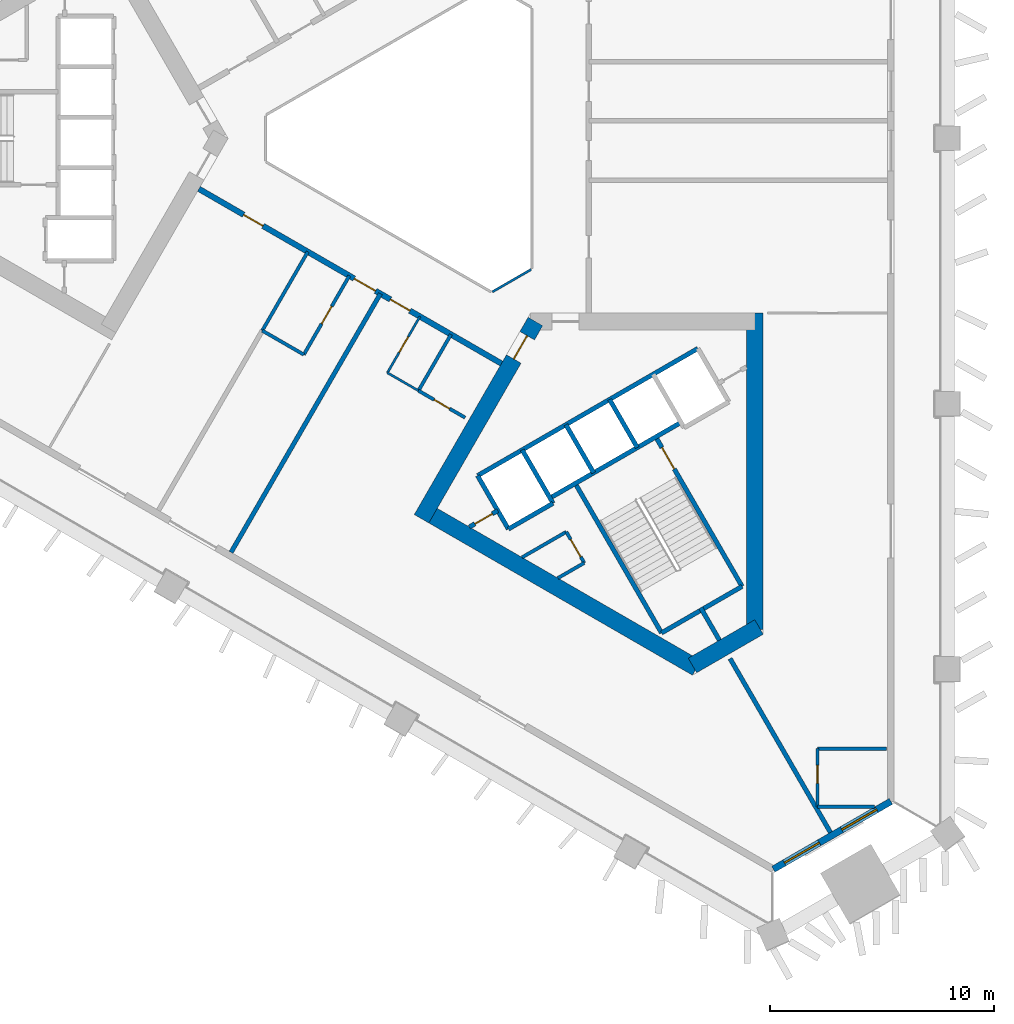
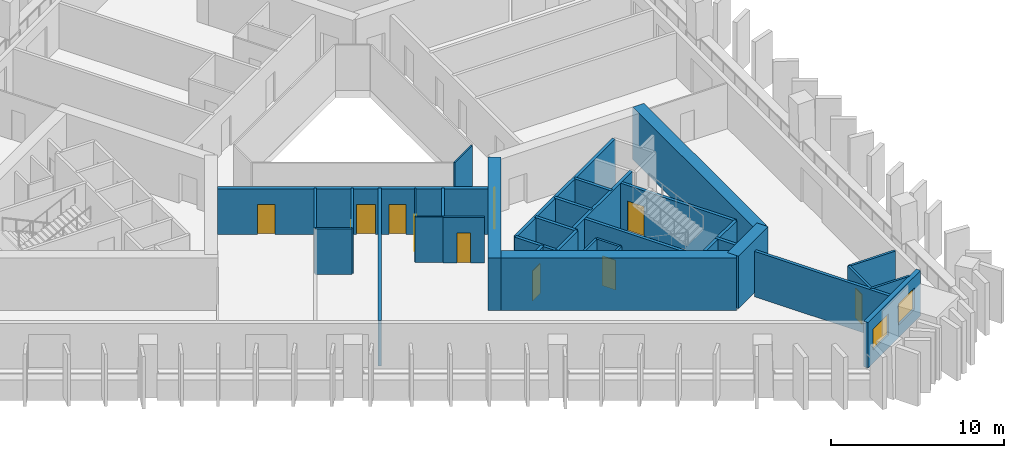
# One storey, part 3 of 11: 34 walls, 11 doors, 2 windows, 13 openings.
"""IFC4 building model written with IfcOpenShell, lengths in metres."""

from ifc_helpers import new_model, si_unit, direction, frame, frame_2d, origin, place, context, subcontext, project, spatial, rectangle, extrude, material, layer, layer_set, type_object, element, fill, save


model = new_model("IFC4")

# Units and contexts
model_context = context("Model", 3, precision=1e-05, world=origin(), true_north=direction((0.0, 1.0)))
body_context = subcontext(model_context, "Body", "Model", "MODEL_VIEW")
ifc_project = project(units=[si_unit("LENGTHUNIT", "METRE"), si_unit("AREAUNIT", "SQUARE_METRE"), si_unit("VOLUMEUNIT", "CUBIC_METRE"), si_unit("PLANEANGLEUNIT", "RADIAN"), si_unit("MASSUNIT", "GRAM", prefix="KILO")], contexts=[model_context])

# Site, building, storey
site_placement = place(None, origin())
site = spatial("IfcSite", under=ifc_project, at=site_placement, CompositionType="ELEMENT")
building_placement = place(site_placement, origin())
building = spatial("IfcBuilding", under=site, at=building_placement, Name="Jabali Bay Hotel Tower and Convention Centre", CompositionType="ELEMENT")
storey_placement = place(building_placement, frame((0.0, 0.0, 75.800048828125)))
storey = spatial("IfcBuildingStorey", under=building, at=storey_placement, Name="L17", CompositionType="ELEMENT", Elevation=75.800048828125)

# Walls
ifc_material_1 = material(Name="Fire-resistant glazing", Category="glass")
ifc_layer_1 = layer(ifc_material_1, 0.10009765625)
ifc_layer_set_1 = layer_set([ifc_layer_1], Name="Fire-resistant glazing")
wall_type_1 = type_object("IfcWallType", Name="Atrium glazed screen 100", PredefinedType="PARTITIONING", material=ifc_layer_set_1)
wall_1_placement = place(storey_placement, frame((77.7978515625, 73.15380859375, 0.0), z_axis=(0.0, 0.0, 1.0), x_axis=(0.866041268327, 0.499972520799, 0.0)))
element("IfcWall", 1, at=wall_1_placement, inside=storey, type_object=wall_type_1, Name="Atrium screen 6 L17", PredefinedType="PARTITIONING", context=body_context, shape_type="SweptSolid", body=[
    extrude(rectangle(XDim=2.0, YDim=0.10009765625, at=frame_2d((1.0, 0.0))), origin(), (0.0, 0.0, 1.0), 3.199951171875),
])
ifc_material_2 = material(Name="Concrete C40", Category="concrete")
ifc_layer_2 = layer(ifc_material_2, 0.199951171875)
ifc_layer_set_2 = layer_set([ifc_layer_2], Name="Concrete C40")
wall_type_2 = type_object("IfcWallType", Name="Core partition wall 200", PredefinedType="PARTITIONING", material=ifc_layer_set_2)
wall_2_placement = place(storey_placement, frame((87.090087890625, 59.0595703125, 0.0), z_axis=(0.0, 0.0, 1.0), x_axis=(0.499937194881, -0.866061661301, 0.0)))
element("IfcWall", 2, at=wall_2_placement, inside=storey, type_object=wall_type_2, Name="Core wall 2.5 L17", PredefinedType="PARTITIONING", context=body_context, shape_type="SweptSolid", body=[
    extrude(rectangle(XDim=1.673095703125, YDim=0.199951171875, at=frame_2d((0.83642578125, 0.0))), origin(), (0.0, 0.0, 1.0), 3.199951171875),
])

# Wall, opening, door
wall_3_placement = place(storey_placement, frame((76.77001953125, 62.662109375, 0.0), z_axis=(0.0, 0.0, 1.0), x_axis=(0.866054810376, 0.49994906283, 0.0)))
wall_3 = element("IfcWall", 3, at=wall_3_placement, inside=storey, type_object=wall_type_2, Name="Core wall 2.11 L17", PredefinedType="PARTITIONING", context=body_context, shape_type="SweptSolid", body=[
    extrude(rectangle(XDim=1.461181640625, YDim=0.199951171875, at=frame_2d((0.73046875, 0.0))), origin(), (0.0, 0.0, 1.0), 3.199951171875),
])
opening_1_placement = place(wall_3_placement, frame((0.280517578125, 0.0, 0.0)))
opening_1 = element("IfcOpeningElement", 4, at=opening_1_placement, cuts=wall_3, Name="Opening D435", PredefinedType="OPENING", context=body_context, shape_type="SweptSolid", body=[
    extrude(rectangle(XDim=0.89990234375, YDim=2.10009765625, at=frame_2d((0.449951171875, 1.050048828125))), frame((0.0, 0.1103515625, 0.0), z_axis=(0.0, -1.0, 0.0), x_axis=(1.0, 0.0, 0.0)), (0.0, 0.0, 1.0), 0.220947265625),
])
ifc_material_3 = material(Name="Fire-rated steel door", Category="steel")
door_type_1 = type_object("IfcDoorType", Name="Vestibule fire door 900 x 2100", OperationType="NOTDEFINED", PredefinedType="NOTDEFINED", material=ifc_material_3)
door_1_placement = place(opening_1_placement, origin())
door_1 = element("IfcDoor", 5, at=door_1_placement, inside=storey, type_object=door_type_1, Name="Vestibule fire door D435", OperationType="SINGLE_SWING_LEFT", OverallHeight=2.10009765625, OverallWidth=0.89990234375, PredefinedType="NOTDEFINED", context=body_context, shape_type="SweptSolid", body=[
    extrude(rectangle(XDim=0.89990234375, YDim=2.10009765625, at=frame_2d((0.449951171875, 1.050048828125))), frame((0.0, 0.02490234375, 0.0), z_axis=(0.0, -1.0, 0.0), x_axis=(1.0, 0.0, 0.0)), (0.0, 0.0, 1.0), 0.050048828125),
])
fill(opening_1, door_1)

ifc_material_4 = material(Name="Fire-rated board partition")
ifc_layer_3 = layer(ifc_material_4, 0.14990234375)
ifc_layer_set_3 = layer_set([ifc_layer_3], Name="Fire-rated board partition")
wall_type_3 = type_object("IfcWallType", Name="Core room partition 150", PredefinedType="PARTITIONING", material=ifc_layer_set_3)
wall_4_placement = place(storey_placement, frame((81.093994140625, 62.445068359375, 0.0), z_axis=(0.0, 0.0, 1.0), x_axis=(0.499880961361, -0.866094119867, 0.0)))
wall_4 = element("IfcWall", 6, at=wall_4_placement, inside=storey, type_object=wall_type_3, Name="Core wall 2.1 L17", PredefinedType="PARTITIONING", context=body_context, shape_type="SweptSolid", body=[
    extrude(rectangle(XDim=1.60009765625, YDim=0.14990234375, at=frame_2d((0.800048828125, 0.0))), origin(), (0.0, 0.0, 1.0), 3.199951171875),
])
opening_2_placement = place(wall_4_placement, frame((0.387451171875, 0.0, 0.0)))
opening_2 = element("IfcOpeningElement", 7, at=opening_2_placement, cuts=wall_4, Name="Opening D437", PredefinedType="OPENING", context=body_context, shape_type="SweptSolid", body=[
    extrude(rectangle(XDim=0.89990234375, YDim=2.10009765625, at=frame_2d((0.449951171875, 1.050048828125))), frame((0.0, 0.08544921875, 0.0), z_axis=(0.0, -1.0, 0.0), x_axis=(1.0, 0.0, 0.0)), (0.0, 0.0, 1.0), 0.1708984375),
])
door_type_2 = type_object("IfcDoorType", Name="Core room door 900 x 2100", OperationType="NOTDEFINED", PredefinedType="NOTDEFINED", material=ifc_material_3)
door_2_placement = place(opening_2_placement, origin())
door_2 = element("IfcDoor", 8, at=door_2_placement, inside=storey, type_object=door_type_2, Name="Core room door D437", OperationType="SINGLE_SWING_LEFT", OverallHeight=2.10009765625, OverallWidth=0.89990234375, PredefinedType="NOTDEFINED", context=body_context, shape_type="SweptSolid", body=[
    extrude(rectangle(XDim=0.89990234375, YDim=2.10009765625, at=frame_2d((0.449951171875, 1.050048828125))), frame((0.0, 0.02490234375, 0.0), z_axis=(0.0, -1.0, 0.0), x_axis=(1.0, 0.0, 0.0)), (0.0, 0.0, 1.0), 0.050048828125),
])
fill(opening_2, door_2)

# Walls
wall_5_placement = place(storey_placement, frame((79.119873046875, 61.305419921875, 0.0), z_axis=(0.0, 0.0, 1.0), x_axis=(0.866046471269, 0.499963508271, 0.0)))
element("IfcWall", 9, at=wall_5_placement, inside=storey, type_object=wall_type_3, Name="Core wall 2.16 L17", PredefinedType="PARTITIONING", context=body_context, shape_type="SweptSolid", body=[
    extrude(rectangle(XDim=2.279541015625, YDim=0.14990234375, at=frame_2d((1.1396484375, 0.0))), origin(), (0.0, 0.0, 1.0), 3.199951171875),
])
wall_6_placement = place(storey_placement, frame((80.719970703125, 60.381591796875, 0.0), z_axis=(0.0, 0.0, 1.0), x_axis=(0.866017611601, 0.500013496215, 0.0)))
element("IfcWall", 10, at=wall_6_placement, inside=storey, type_object=wall_type_3, Name="Core wall 2.17 L17", PredefinedType="PARTITIONING", context=body_context, shape_type="SweptSolid", body=[
    extrude(rectangle(XDim=1.35546875, YDim=0.14990234375, at=frame_2d((0.677734375, 0.0))), origin(), (0.0, 0.0, 1.0), 3.199951171875),
])
ifc_layer_4 = layer(ifc_material_2, 0.199951171875)
ifc_layer_set_4 = layer_set([ifc_layer_4], Name="Concrete C40")
wall_type_4 = type_object("IfcWallType", Name="Core stair wall 200", PredefinedType="SOLIDWALL", material=ifc_layer_set_4)
for number, where, z_axis, x_axis, name in (
    (11, (77.13525390625, 64.95166015625, 0.0), (0.0, 0.0, 1.0), (0.499996545922, -0.866027397988, 0.0), "Core wall 2.0 L17"),
    (12, (79.127197265625, 66.1015625, 0.0), (0.0, 0.0, 1.0), (0.499996545922, -0.866027397988, 0.0), "Core wall 2.2 L17"),
):
    element("IfcWall", number, at=place(storey_placement, frame(where, z_axis=z_axis, x_axis=x_axis)), inside=storey, type_object=wall_type_4, Name=name, PredefinedType="SOLIDWALL", context=body_context, shape_type="SweptSolid", body=[
        extrude(rectangle(XDim=2.75, YDim=0.199951171875, at=frame_2d((1.375, 0.0))), origin(), (0.0, 0.0, 1.0), 3.199951171875),
    ])
wall_7_placement = place(storey_placement, frame((81.492919921875, 64.603759765625, 0.0), z_axis=(0.0, 0.0, 1.0), x_axis=(0.500006057782, -0.866021906294, 0.0)))
element("IfcWall", 13, at=wall_7_placement, inside=storey, type_object=wall_type_4, Name="Core wall 2.3 L17", PredefinedType="SOLIDWALL", context=body_context, shape_type="SweptSolid", body=[
    extrude(rectangle(XDim=7.7001953125, YDim=0.199951171875, at=frame_2d((3.85009765625, 0.0))), origin(), (0.0, 0.0, 1.0), 3.199951171875),
])
for number, where, z_axis, x_axis, name in (
    (14, (81.07568359375, 67.2265625, 0.0), (0.0, 0.0, 1.0), (0.50000366821, -0.866023285932, 0.0), "Core wall 2.4 L17"),
    (15, (83.024169921875, 68.3515625, 0.0), (0.0, 0.0, 1.0), (0.50000366821, -0.866023285932, 0.0), "Core wall 2.6 L17"),
):
    element("IfcWall", number, at=place(storey_placement, frame(where, z_axis=z_axis, x_axis=x_axis)), inside=storey, type_object=wall_type_4, Name=name, PredefinedType="SOLIDWALL", context=body_context, shape_type="SweptSolid", body=[
        extrude(rectangle(XDim=2.47998046875, YDim=0.199951171875, at=frame_2d((1.239990234375, 0.0))), origin(), (0.0, 0.0, 1.0), 3.199951171875),
    ])

# Wall, opening, door
wall_8_placement = place(storey_placement, frame((85.0869140625, 66.6787109375, 0.0), z_axis=(0.0, 0.0, 1.0), x_axis=(0.500019787375, -0.866013979237, 0.0)))
wall_8 = element("IfcWall", 16, at=wall_8_placement, inside=storey, type_object=wall_type_4, Name="Core wall 2.7 L17", PredefinedType="SOLIDWALL", context=body_context, shape_type="SweptSolid", body=[
    extrude(rectangle(XDim=7.699951171875, YDim=0.199951171875, at=frame_2d((3.85009765625, 0.0))), origin(), (0.0, 0.0, 1.0), 3.199951171875),
])
opening_3_placement = place(wall_8_placement, frame((0.550048828125, 0.0, 0.0)))
opening_3 = element("IfcOpeningElement", 17, at=opening_3_placement, cuts=wall_8, Name="Opening D436", PredefinedType="OPENING", context=body_context, shape_type="SweptSolid", body=[
    extrude(rectangle(XDim=1.10009765625, YDim=2.10009765625, at=frame_2d((0.550048828125, 1.050048828125))), frame((0.0, 0.1103515625, 0.0), z_axis=(0.0, -1.0, 0.0), x_axis=(1.0, 0.0, 0.0)), (0.0, 0.0, 1.0), 0.220947265625),
])
door_type_3 = type_object("IfcDoorType", Name="Stair fire door 1100 x 2100", OperationType="NOTDEFINED", PredefinedType="NOTDEFINED", material=ifc_material_3)
door_3_placement = place(opening_3_placement, origin())
door_3 = element("IfcDoor", 18, at=door_3_placement, inside=storey, type_object=door_type_3, Name="Stair fire door D436", OperationType="SINGLE_SWING_RIGHT", OverallHeight=2.10009765625, OverallWidth=1.10009765625, PredefinedType="NOTDEFINED", context=body_context, shape_type="SweptSolid", body=[
    extrude(rectangle(XDim=1.10009765625, YDim=2.10009765625, at=frame_2d((0.550048828125, 1.050048828125))), frame((0.0, 0.02490234375, 0.0), z_axis=(0.0, -1.0, 0.0), x_axis=(1.0, 0.0, 0.0)), (0.0, 0.0, 1.0), 0.050048828125),
])
fill(opening_3, door_3)

# Walls
wall_9_placement = place(storey_placement, frame((77.13525390625, 64.95166015625, 0.0), z_axis=(0.0, 0.0, 1.0), x_axis=(0.866031916153, 0.499988720078, 0.0)))
element("IfcWall", 19, at=wall_9_placement, inside=storey, type_object=wall_type_4, Name="Core wall 2.10 L17", PredefinedType="SOLIDWALL", context=body_context, shape_type="SweptSolid", body=[
    extrude(rectangle(XDim=11.349853515625, YDim=0.199951171875, at=frame_2d((5.6748046875, 0.0))), origin(), (0.0, 0.0, 1.0), 3.199951171875),
])
wall_10_placement = place(storey_placement, frame((80.3671875, 63.953857421875, 0.0), z_axis=(0.0, 0.0, 1.0), x_axis=(0.866026575979, 0.499997969693, 0.0)))
element("IfcWall", 20, at=wall_10_placement, inside=storey, type_object=wall_type_4, Name="Core wall 2.13 L17", PredefinedType="SOLIDWALL", context=body_context, shape_type="SweptSolid", body=[
    extrude(rectangle(XDim=6.75, YDim=0.199951171875, at=frame_2d((3.375, 0.0))), origin(), (0.0, 0.0, 1.0), 3.199951171875),
])
wall_11_placement = place(storey_placement, frame((78.51025390625, 62.570068359375, 0.0), z_axis=(0.0, 0.0, 1.0), x_axis=(0.866053019151, 0.499952165731, 0.0)))
element("IfcWall", 21, at=wall_11_placement, inside=storey, type_object=wall_type_4, Name="Core wall 2.14 L17", PredefinedType="SOLIDWALL", context=body_context, shape_type="SweptSolid", body=[
    extrude(rectangle(XDim=2.300048828125, YDim=0.199951171875, at=frame_2d((1.14990234375, 0.0))), origin(), (0.0, 0.0, 1.0), 3.199951171875),
])
wall_12_placement = place(storey_placement, frame((85.343017578125, 57.935302734375, 0.0), z_axis=(0.0, 0.0, 1.0), x_axis=(0.866004344652, 0.500036473714, 0.0)))
element("IfcWall", 22, at=wall_12_placement, inside=storey, type_object=wall_type_4, Name="Core wall 2.18 L17", PredefinedType="SOLIDWALL", context=body_context, shape_type="SweptSolid", body=[
    extrude(rectangle(XDim=4.150146484375, YDim=0.199951171875, at=frame_2d((2.0751953125, 0.0))), origin(), (0.0, 0.0, 1.0), 3.199951171875),
])

# Wall, opening, door
ifc_material_5 = material(Name="Concrete C60", Category="concrete")
ifc_layer_5 = layer(ifc_material_5, 0.75)
ifc_layer_set_5 = layer_set([ifc_layer_5], Name="Concrete C60")
wall_type_5 = type_object("IfcWallType", Name="Core wall 750", PredefinedType="SHEAR", material=ifc_layer_set_5)
wall_13_placement = place(storey_placement, frame((79.716552734375, 71.830810546875, 0.0), z_axis=(0.0, 0.0, 1.0), x_axis=(-0.499996230114, -0.866027580318, 0.0)))
wall_13 = element("IfcWall", 23, at=wall_13_placement, inside=storey, type_object=wall_type_5, Name="Core wall 3.1 L17", PredefinedType="SHEAR", context=body_context, shape_type="SweptSolid", body=[
    extrude(rectangle(XDim=10.16357421875, YDim=0.75, at=frame_2d((5.081787109375, 0.0))), origin(), (0.0, 0.0, 1.0), 3.699951171875),
])
opening_4_placement = place(wall_13_placement, frame((0.7333984375, 0.0, 0.0)))
opening_4 = element("IfcOpeningElement", 24, at=opening_4_placement, cuts=wall_13, Name="Opening D432", PredefinedType="OPENING", context=body_context, shape_type="SweptSolid", body=[
    extrude(rectangle(XDim=1.199951171875, YDim=2.10009765625, at=frame_2d((0.60009765625, 1.050048828125))), frame((0.0, 0.385498046875, 0.0), z_axis=(0.0, -1.0, 0.0), x_axis=(1.0, 0.0, 0.0)), (0.0, 0.0, 1.0), 0.77099609375),
])
door_type_4 = type_object("IfcDoorType", Name="Corridor end fire door 1200 x 2100", OperationType="NOTDEFINED", PredefinedType="NOTDEFINED", material=ifc_material_3)
door_4_placement = place(opening_4_placement, origin())
door_4 = element("IfcDoor", 25, at=door_4_placement, inside=storey, type_object=door_type_4, Name="Corridor end fire door D432", OperationType="SINGLE_SWING_RIGHT", OverallHeight=2.10009765625, OverallWidth=1.199951171875, PredefinedType="NOTDEFINED", context=body_context, shape_type="SweptSolid", body=[
    extrude(rectangle(XDim=1.199951171875, YDim=2.10009765625, at=frame_2d((0.60009765625, 1.050048828125))), frame((0.0, 0.02490234375, 0.0), z_axis=(0.0, -1.0, 0.0), x_axis=(1.0, 0.0, 0.0)), (0.0, 0.0, 1.0), 0.050048828125),
])
fill(opening_4, door_4)

# Walls
wall_14_placement = place(storey_placement, frame((74.822265625, 63.353759765625, 0.0), z_axis=(0.0, 0.0, 1.0), x_axis=(0.8660248072, -0.500001033313, 0.0)))
element("IfcWall", 26, at=wall_14_placement, inside=storey, type_object=wall_type_5, Name="Core wall 3.2 L17", PredefinedType="SHEAR", context=body_context, shape_type="SweptSolid", body=[
    extrude(rectangle(XDim=13.95849609375, YDim=0.75, at=frame_2d((6.979248046875, 0.0))), origin(), (0.0, 0.0, 1.0), 3.699951171875),
])
wall_15_placement = place(storey_placement, frame((86.72314453125, 56.482666015625, 0.0), z_axis=(0.0, 0.0, 1.0), x_axis=(0.866017201164, 0.500014207086, 0.0)))
element("IfcWall", 27, at=wall_15_placement, inside=storey, type_object=wall_type_5, Name="Core wall 3.3 L17", PredefinedType="SHEAR", context=body_context, shape_type="SweptSolid", body=[
    extrude(rectangle(XDim=3.4287109375, YDim=0.75, at=frame_2d((1.71435546875, 0.0))), origin(), (0.0, 0.0, 1.0), 3.699951171875),
])
wall_16_placement = place(storey_placement, frame((89.5048828125, 58.0888671875, 0.0), z_axis=(0.0, 0.0, 1.0), x_axis=(0.0, 1.0, 0.0)))
element("IfcWall", 28, at=wall_16_placement, inside=storey, type_object=wall_type_5, Name="Core wall 3.4 L17", PredefinedType="SHEAR", context=body_context, shape_type="SweptSolid", body=[
    extrude(rectangle(XDim=14.116943359375, YDim=0.75, at=frame_2d((7.05859375, 0.0))), origin(), (0.0, 0.0, 1.0), 3.699951171875),
])

# Wall, openings, doors
ifc_layer_6 = layer(ifc_material_5, 0.25)
ifc_layer_set_6 = layer_set([ifc_layer_6], Name="Concrete C60")
wall_type_6 = type_object("IfcWallType", Name="Corridor wall 250", PredefinedType="SHEAR", material=ifc_layer_set_6)
wall_17_placement = place(storey_placement, frame((64.699951171875, 77.748291015625, 0.0), z_axis=(0.0, 0.0, 1.0), x_axis=(0.866026492143, -0.499998114903, 0.0)))
wall_17 = element("IfcWall", 29, at=wall_17_placement, inside=storey, type_object=wall_type_6, Name="Corridor wall 3 L17", PredefinedType="SHEAR", context=body_context, shape_type="SweptSolid", body=[
    extrude(rectangle(XDim=15.58837890625, YDim=0.25, at=frame_2d((7.794189453125, 0.0))), origin(), (0.0, 0.0, 1.0), 3.199951171875),
])
opening_5_placement = place(wall_17_placement, frame((2.305908203125, 0.0, 0.0)))
opening_5 = element("IfcOpeningElement", 30, at=opening_5_placement, cuts=wall_17, Name="Opening 1717", PredefinedType="OPENING", context=body_context, shape_type="SweptSolid", body=[
    extrude(rectangle(XDim=1.0, YDim=2.10009765625, at=frame_2d((0.5, 1.050048828125))), frame((0.0, 0.135498046875, 0.0), z_axis=(0.0, -1.0, 0.0), x_axis=(1.0, 0.0, 0.0)), (0.0, 0.0, 1.0), 0.27099609375),
])
opening_6_placement = place(wall_17_placement, frame((8.003173828125, 0.0, 0.0)))
opening_6 = element("IfcOpeningElement", 31, at=opening_6_placement, cuts=wall_17, Name="Opening 1721", PredefinedType="OPENING", context=body_context, shape_type="SweptSolid", body=[
    extrude(rectangle(XDim=1.10009765625, YDim=2.10009765625, at=frame_2d((0.550048828125, 1.050048828125))), frame((0.0, 0.135498046875, 0.0), z_axis=(0.0, -1.0, 0.0), x_axis=(1.0, 0.0, 0.0)), (0.0, 0.0, 1.0), 0.27099609375),
])
opening_7_placement = place(wall_17_placement, frame((9.870849609375, 0.0, 0.0)))
opening_7 = element("IfcOpeningElement", 32, at=opening_7_placement, cuts=wall_17, Name="Opening 1724", PredefinedType="OPENING", context=body_context, shape_type="SweptSolid", body=[
    extrude(rectangle(XDim=1.0, YDim=2.10009765625, at=frame_2d((0.5, 1.050048828125))), frame((0.0, 0.135498046875, 0.0), z_axis=(0.0, -1.0, 0.0), x_axis=(1.0, 0.0, 0.0)), (0.0, 0.0, 1.0), 0.27099609375),
])
ifc_material_6 = material(Name="Timber", Category="wood")
door_type_5 = type_object("IfcDoorType", Name="Accessible guest room door 1100 x 2100", OperationType="NOTDEFINED", PredefinedType="NOTDEFINED", material=ifc_material_6)
door_5_placement = place(opening_6_placement, origin())
door_5 = element("IfcDoor", 33, at=door_5_placement, inside=storey, type_object=door_type_5, Name="Door 1721", OperationType="SINGLE_SWING_RIGHT", OverallHeight=2.10009765625, OverallWidth=1.10009765625, PredefinedType="NOTDEFINED", context=body_context, shape_type="SweptSolid", body=[
    extrude(rectangle(XDim=1.10009765625, YDim=2.10009765625, at=frame_2d((0.550048828125, 1.050048828125))), frame((0.0, 0.02490234375, 0.0), z_axis=(0.0, -1.0, 0.0), x_axis=(1.0, 0.0, 0.0)), (0.0, 0.0, 1.0), 0.050048828125),
])
fill(opening_6, door_5)
door_type_6 = type_object("IfcDoorType", Name="Guest room door 1000 x 2100", OperationType="NOTDEFINED", PredefinedType="NOTDEFINED", material=ifc_material_6)
door_6_placement = place(opening_5_placement, origin())
door_6 = element("IfcDoor", 34, at=door_6_placement, inside=storey, type_object=door_type_6, Name="Door 1717", OperationType="SINGLE_SWING_LEFT", OverallHeight=2.10009765625, OverallWidth=1.0, PredefinedType="NOTDEFINED", context=body_context, shape_type="SweptSolid", body=[
    extrude(rectangle(XDim=1.0, YDim=2.10009765625, at=frame_2d((0.5, 1.050048828125))), frame((0.0, 0.02490234375, 0.0), z_axis=(0.0, -1.0, 0.0), x_axis=(1.0, 0.0, 0.0)), (0.0, 0.0, 1.0), 0.050048828125),
])
fill(opening_5, door_6)
door_7_placement = place(opening_7_placement, origin())
door_7 = element("IfcDoor", 35, at=door_7_placement, inside=storey, type_object=door_type_6, Name="Door 1724", OperationType="SINGLE_SWING_RIGHT", OverallHeight=2.10009765625, OverallWidth=1.0, PredefinedType="NOTDEFINED", context=body_context, shape_type="SweptSolid", body=[
    extrude(rectangle(XDim=1.0, YDim=2.10009765625, at=frame_2d((0.5, 1.050048828125))), frame((0.0, 0.02490234375, 0.0), z_axis=(0.0, -1.0, 0.0), x_axis=(1.0, 0.0, 0.0)), (0.0, 0.0, 1.0), 0.050048828125),
])
fill(opening_7, door_7)

# Wall, openings, windows
ifc_layer_7 = layer(ifc_material_2, 0.300048828125)
ifc_layer_set_7 = layer_set([ifc_layer_7], Name="Concrete C40")
wall_type_7 = type_object("IfcWallType", Name="External wall 300", PredefinedType="SOLIDWALL", material=ifc_layer_set_7)
wall_18_placement = place(storey_placement, frame((95.575439453125, 50.416748046875, 0.0), z_axis=(0.0, 0.0, 1.0), x_axis=(-0.86603852932, -0.499977265216, 0.0)))
wall_18 = element("IfcWall", 36, at=wall_18_placement, inside=storey, type_object=wall_type_7, Name="External wall south-east chamfer L17", PredefinedType="SOLIDWALL", context=body_context, shape_type="SweptSolid", body=[
    extrude(rectangle(XDim=6.054443359375, YDim=0.300048828125, at=frame_2d((3.02734375, 0.0))), origin(), (0.0, 0.0, 1.0), 3.199951171875),
])
opening_8_placement = place(wall_18_placement, frame((0.7265625, 0.0, 0.89990234375)))
opening_8 = element("IfcOpeningElement", 37, at=opening_8_placement, cuts=wall_18, Name="Opening W1", PredefinedType="OPENING", context=body_context, shape_type="SweptSolid", body=[
    extrude(rectangle(XDim=1.800048828125, YDim=1.5, at=frame_2d((0.89990234375, 0.75))), frame((0.0, 0.16064453125, 0.0), z_axis=(0.0, -1.0, 0.0), x_axis=(1.0, 0.0, 0.0)), (0.0, 0.0, 1.0), 0.321044921875),
])
opening_9_placement = place(wall_18_placement, frame((3.68359375, 0.0, 0.89990234375)))
opening_9 = element("IfcOpeningElement", 38, at=opening_9_placement, cuts=wall_18, Name="Opening W1", PredefinedType="OPENING", context=body_context, shape_type="SweptSolid", body=[
    extrude(rectangle(XDim=1.800048828125, YDim=1.5, at=frame_2d((0.89990234375, 0.75))), frame((0.0, 0.16064453125, 0.0), z_axis=(0.0, -1.0, 0.0), x_axis=(1.0, 0.0, 0.0)), (0.0, 0.0, 1.0), 0.321044921875),
])
ifc_material_7 = material(Name="Glass", Category="glass")
window_type = type_object("IfcWindowType", Name="Window 1800 x 1500", PartitioningType="SINGLE_PANEL", PredefinedType="WINDOW", material=ifc_material_7)
window_1_placement = place(opening_8_placement, origin())
window_1 = element("IfcWindow", 39, at=window_1_placement, inside=storey, type_object=window_type, Name="Window 1701", OverallHeight=1.5, OverallWidth=1.800048828125, PartitioningType="SINGLE_PANEL", PredefinedType="WINDOW", context=body_context, shape_type="SweptSolid", body=[
    extrude(rectangle(XDim=1.800048828125, YDim=1.5, at=frame_2d((0.89990234375, 0.75))), frame((0.0, 0.030029296875, 0.0), z_axis=(0.0, -1.0, 0.0), x_axis=(1.0, 0.0, 0.0)), (0.0, 0.0, 1.0), 0.06005859375),
])
fill(opening_8, window_1)
window_2_placement = place(opening_9_placement, origin())
window_2 = element("IfcWindow", 40, at=window_2_placement, inside=storey, type_object=window_type, Name="Window 1710", OverallHeight=1.5, OverallWidth=1.800048828125, PartitioningType="SINGLE_PANEL", PredefinedType="WINDOW", context=body_context, shape_type="SweptSolid", body=[
    extrude(rectangle(XDim=1.800048828125, YDim=1.5, at=frame_2d((0.89990234375, 0.75))), frame((0.0, 0.030029296875, 0.0), z_axis=(0.0, -1.0, 0.0), x_axis=(1.0, 0.0, 0.0)), (0.0, 0.0, 1.0), 0.06005859375),
])
fill(opening_9, window_2)

# Wall
ifc_material_8 = material(Name="Plasterboard on steel stud", Category="steel")
ifc_layer_8 = layer(ifc_material_8, 0.10009765625)
ifc_layer_set_8 = layer_set([ifc_layer_8], Name="Plasterboard on steel stud")
wall_type_8 = type_object("IfcWallType", Name="Partition 100 unit", PredefinedType="PARTITIONING", material=ifc_layer_set_8)
wall_19_placement = place(storey_placement, frame((74.498291015625, 68.74267578125, 0.0), z_axis=(0.0, 0.0, 1.0), x_axis=(-0.865989903783, 0.500061482766, 0.0)))
element("IfcWall", 41, at=wall_19_placement, inside=storey, type_object=wall_type_8, Name="Partition P02 L17 037", PredefinedType="PARTITIONING", context=body_context, shape_type="SweptSolid", body=[
    extrude(rectangle(XDim=1.599853515625, YDim=0.10009765625, at=frame_2d((0.7998046875, 0.0))), origin(), (0.0, 0.0, 1.0), 3.199951171875),
])

# Wall, opening, door
wall_20_placement = place(storey_placement, frame((73.11279296875, 69.542724609375, 0.0), z_axis=(0.0, 0.0, 1.0), x_axis=(0.499987231761, 0.866032775405, 0.0)))
wall_20 = element("IfcWall", 42, at=wall_20_placement, inside=storey, type_object=wall_type_8, Name="Partition P02 L17 038", PredefinedType="PARTITIONING", context=body_context, shape_type="SweptSolid", body=[
    extrude(rectangle(XDim=2.89990234375, YDim=0.10009765625, at=frame_2d((1.449951171875, 0.0))), origin(), (0.0, 0.0, 1.0), 3.199951171875),
])
opening_10_placement = place(wall_20_placement, frame((1.050048828125, 0.0, 0.0)))
opening_10 = element("IfcOpeningElement", 43, at=opening_10_placement, cuts=wall_20, Name="Opening 1723", PredefinedType="OPENING", context=body_context, shape_type="SweptSolid", body=[
    extrude(rectangle(XDim=0.800048828125, YDim=2.10009765625, at=frame_2d((0.39990234375, 1.050048828125))), frame((0.0, 0.060546875, 0.0), z_axis=(0.0, -1.0, 0.0), x_axis=(1.0, 0.0, 0.0)), (0.0, 0.0, 1.0), 0.12109375),
])
door_type_7 = type_object("IfcDoorType", Name="Dressing room door 800 x 2100", OperationType="NOTDEFINED", PredefinedType="NOTDEFINED", material=ifc_material_6)
door_8_placement = place(opening_10_placement, origin())
door_8 = element("IfcDoor", 44, at=door_8_placement, inside=storey, type_object=door_type_7, Name="Door 1723", OperationType="SINGLE_SWING_RIGHT", OverallHeight=2.10009765625, OverallWidth=0.800048828125, PredefinedType="NOTDEFINED", context=body_context, shape_type="SweptSolid", body=[
    extrude(rectangle(XDim=0.800048828125, YDim=2.10009765625, at=frame_2d((0.39990234375, 1.050048828125))), frame((0.0, 0.02490234375, 0.0), z_axis=(0.0, -1.0, 0.0), x_axis=(1.0, 0.0, 0.0)), (0.0, 0.0, 1.0), 0.050048828125),
])
fill(opening_10, door_8)

# Wall
ifc_layer_9 = layer(ifc_material_8, 0.14990234375)
ifc_layer_set_9 = layer_set([ifc_layer_9], Name="Plasterboard on steel stud")
wall_type_9 = type_object("IfcWallType", Name="Partition 150 wet", PredefinedType="PARTITIONING", material=ifc_layer_set_9)
wall_21_placement = place(storey_placement, frame((94.855712890625, 50.17333984375, 0.0), z_axis=(0.0, 0.0, 1.0), x_axis=(-1.0, 0.0, 0.0)))
element("IfcWall", 45, at=wall_21_placement, inside=storey, type_object=wall_type_9, Name="Partition P03 L17 003", PredefinedType="PARTITIONING", context=body_context, shape_type="SweptSolid", body=[
    extrude(rectangle(XDim=2.55419921875, YDim=0.14990234375, at=frame_2d((1.277099609375, 0.0))), origin(), (0.0, 0.0, 1.0), 3.199951171875),
])

# Wall, opening, door
wall_22_placement = place(storey_placement, frame((92.301513671875, 50.17333984375, 0.0), z_axis=(0.0, 0.0, 1.0), x_axis=(0.0, 1.0, 0.0)))
wall_22 = element("IfcWall", 46, at=wall_22_placement, inside=storey, type_object=wall_type_9, Name="Partition P03 L17 004", PredefinedType="PARTITIONING", context=body_context, shape_type="SweptSolid", body=[
    extrude(rectangle(XDim=2.60009765625, YDim=0.14990234375, at=frame_2d((1.300048828125, 0.0))), origin(), (0.0, 0.0, 1.0), 3.199951171875),
])
opening_11_placement = place(wall_22_placement, frame((1.050048828125, 0.0, 0.0)))
opening_11 = element("IfcOpeningElement", 47, at=opening_11_placement, cuts=wall_22, Name="Opening 1703", PredefinedType="OPENING", context=body_context, shape_type="SweptSolid", body=[
    extrude(rectangle(XDim=0.800048828125, YDim=2.10009765625, at=frame_2d((0.39990234375, 1.050048828125))), frame((0.0, 0.08544921875, 0.0), z_axis=(0.0, -1.0, 0.0), x_axis=(1.0, 0.0, 0.0)), (0.0, 0.0, 1.0), 0.1708984375),
])
door_type_8 = type_object("IfcDoorType", Name="En-suite door 800 x 2100", OperationType="NOTDEFINED", PredefinedType="NOTDEFINED", material=ifc_material_6)
door_9_placement = place(opening_11_placement, origin())
door_9 = element("IfcDoor", 48, at=door_9_placement, inside=storey, type_object=door_type_8, Name="Door 1703", OperationType="SINGLE_SWING_RIGHT", OverallHeight=2.10009765625, OverallWidth=0.800048828125, PredefinedType="NOTDEFINED", context=body_context, shape_type="SweptSolid", body=[
    extrude(rectangle(XDim=0.800048828125, YDim=2.10009765625, at=frame_2d((0.39990234375, 1.050048828125))), frame((0.0, 0.02490234375, 0.0), z_axis=(0.0, -1.0, 0.0), x_axis=(1.0, 0.0, 0.0)), (0.0, 0.0, 1.0), 0.050048828125),
])
fill(opening_11, door_9)

# Walls
wall_23_placement = place(storey_placement, frame((92.301513671875, 52.7734375, 0.0), z_axis=(0.0, 0.0, 1.0), x_axis=(1.0, 0.0, 0.0)))
element("IfcWall", 49, at=wall_23_placement, inside=storey, type_object=wall_type_9, Name="Partition P03 L17 005", PredefinedType="PARTITIONING", context=body_context, shape_type="SweptSolid", body=[
    extrude(rectangle(XDim=3.083740234375, YDim=0.14990234375, at=frame_2d((1.5419921875, 0.0))), origin(), (0.0, 0.0, 1.0), 3.199951171875),
])
wall_24_placement = place(storey_placement, frame((67.528564453125, 71.423583984375, 0.0), z_axis=(0.0, 0.0, 1.0), x_axis=(0.499984252764, 0.866034495264, 0.0)))
element("IfcWall", 50, at=wall_24_placement, inside=storey, type_object=wall_type_9, Name="Partition P03 L17 029", PredefinedType="PARTITIONING", context=body_context, shape_type="SweptSolid", body=[
    extrude(rectangle(XDim=4.063232421875, YDim=0.14990234375, at=frame_2d((2.03173828125, 0.0))), origin(), (0.0, 0.0, 1.0), 3.199951171875),
])

# Wall, opening, door
wall_25_placement = place(storey_placement, frame((71.414306640625, 73.871826171875, 0.0), z_axis=(0.0, 0.0, 1.0), x_axis=(-0.499984252764, -0.866034495264, 0.0)))
wall_25 = element("IfcWall", 51, at=wall_25_placement, inside=storey, type_object=wall_type_9, Name="Partition P03 L17 033", PredefinedType="PARTITIONING", context=body_context, shape_type="SweptSolid", body=[
    extrude(rectangle(XDim=4.063232421875, YDim=0.14990234375, at=frame_2d((2.03173828125, 0.0))), origin(), (0.0, 0.0, 1.0), 3.199951171875),
])
opening_12_placement = place(wall_25_placement, frame((1.58203125, 0.0, 0.0)))
opening_12 = element("IfcOpeningElement", 52, at=opening_12_placement, cuts=wall_25, Name="Opening 1720", PredefinedType="OPENING", context=body_context, shape_type="SweptSolid", body=[
    extrude(rectangle(XDim=0.89990234375, YDim=2.10009765625, at=frame_2d((0.449951171875, 1.050048828125))), frame((0.0, 0.08544921875, 0.0), z_axis=(0.0, -1.0, 0.0), x_axis=(1.0, 0.0, 0.0)), (0.0, 0.0, 1.0), 0.1708984375),
])
door_type_9 = type_object("IfcDoorType", Name="Accessible en-suite door 900 x 2100", OperationType="NOTDEFINED", PredefinedType="NOTDEFINED", material=ifc_material_6)
door_10_placement = place(opening_12_placement, origin())
door_10 = element("IfcDoor", 53, at=door_10_placement, inside=storey, type_object=door_type_9, Name="Door 1720", OperationType="SINGLE_SWING_RIGHT", OverallHeight=2.10009765625, OverallWidth=0.89990234375, PredefinedType="NOTDEFINED", context=body_context, shape_type="SweptSolid", body=[
    extrude(rectangle(XDim=0.89990234375, YDim=2.10009765625, at=frame_2d((0.449951171875, 1.050048828125))), frame((0.0, 0.02490234375, 0.0), z_axis=(0.0, -1.0, 0.0), x_axis=(1.0, 0.0, 0.0)), (0.0, 0.0, 1.0), 0.050048828125),
])
fill(opening_12, door_10)

# Wall
wall_26_placement = place(storey_placement, frame((69.3828125, 70.35302734375, 0.0), z_axis=(0.0, 0.0, 1.0), x_axis=(-0.866024183959, 0.500002112793, 0.0)))
element("IfcWall", 54, at=wall_26_placement, inside=storey, type_object=wall_type_9, Name="Partition P03 L17 034", PredefinedType="PARTITIONING", context=body_context, shape_type="SweptSolid", body=[
    extrude(rectangle(XDim=2.14111328125, YDim=0.14990234375, at=frame_2d((1.070556640625, 0.0))), origin(), (0.0, 0.0, 1.0), 3.199951171875),
])

# Wall, opening, door
wall_27_placement = place(storey_placement, frame((76.57763671875, 67.542236328125, 0.0), z_axis=(0.0, 0.0, 1.0), x_axis=(-0.866038271014, 0.499977712642, 0.0)))
wall_27 = element("IfcWall", 55, at=wall_27_placement, inside=storey, type_object=wall_type_9, Name="Partition P03 L17 036", PredefinedType="PARTITIONING", context=body_context, shape_type="SweptSolid", body=[
    extrude(rectangle(XDim=2.40087890625, YDim=0.14990234375, at=frame_2d((1.200439453125, 0.0))), origin(), (0.0, 0.0, 1.0), 3.199951171875),
])
opening_13_placement = place(wall_27_placement, frame((0.801025390625, 0.0, 0.0)))
opening_13 = element("IfcOpeningElement", 56, at=opening_13_placement, cuts=wall_27, Name="Opening 1722", PredefinedType="OPENING", context=body_context, shape_type="SweptSolid", body=[
    extrude(rectangle(XDim=0.800048828125, YDim=2.10009765625, at=frame_2d((0.39990234375, 1.050048828125))), frame((0.0, 0.08544921875, 0.0), z_axis=(0.0, -1.0, 0.0), x_axis=(1.0, 0.0, 0.0)), (0.0, 0.0, 1.0), 0.1708984375),
])
door_11_placement = place(opening_13_placement, origin())
door_11 = element("IfcDoor", 57, at=door_11_placement, inside=storey, type_object=door_type_8, Name="Door 1722", OperationType="SINGLE_SWING_LEFT", OverallHeight=2.10009765625, OverallWidth=0.800048828125, PredefinedType="NOTDEFINED", context=body_context, shape_type="SweptSolid", body=[
    extrude(rectangle(XDim=0.800048828125, YDim=2.10009765625, at=frame_2d((0.39990234375, 1.050048828125))), frame((0.0, 0.02490234375, 0.0), z_axis=(0.0, -1.0, 0.0), x_axis=(1.0, 0.0, 0.0)), (0.0, 0.0, 1.0), 0.050048828125),
])
fill(opening_13, door_11)

# Walls
wall_28_placement = place(storey_placement, frame((75.9482421875, 71.254150390625, 0.0), z_axis=(0.0, 0.0, 1.0), x_axis=(-0.499987231761, -0.866032775405, 0.0)))
element("IfcWall", 58, at=wall_28_placement, inside=storey, type_object=wall_type_9, Name="Partition P03 L17 039", PredefinedType="PARTITIONING", context=body_context, shape_type="SweptSolid", body=[
    extrude(rectangle(XDim=2.89990234375, YDim=0.14990234375, at=frame_2d((1.449951171875, 0.0))), origin(), (0.0, 0.0, 1.0), 3.199951171875),
])
ifc_layer_10 = layer(ifc_material_8, 0.199951171875)
ifc_layer_set_10 = layer_set([ifc_layer_10], Name="Plasterboard on steel stud")
wall_type_10 = type_object("IfcWallType", Name="Partition 200 party", PredefinedType="PARTITIONING", material=ifc_layer_set_10)
wall_29_placement = place(storey_placement, frame((88.40185546875, 56.789306640625, 0.0), z_axis=(0.0, 0.0, 1.0), x_axis=(0.500000093992, -0.866025349518, 0.0)))
element("IfcWall", 59, at=wall_29_placement, inside=storey, type_object=wall_type_10, Name="Partition P01 L17 006", PredefinedType="PARTITIONING", context=body_context, shape_type="SweptSolid", body=[
    extrude(rectangle(XDim=8.95654296875, YDim=0.199951171875, at=frame_2d((4.478271484375, 0.0))), origin(), (0.0, 0.0, 1.0), 3.199951171875),
])
wall_30_placement = place(storey_placement, frame((66.13671875, 61.53076171875, 0.0), z_axis=(0.0, 0.0, 1.0), x_axis=(0.500006843521, 0.86602145264, 0.0)))
element("IfcWall", 60, at=wall_30_placement, inside=storey, type_object=wall_type_10, Name="Partition P01 L17 035", PredefinedType="PARTITIONING", context=body_context, shape_type="SweptSolid", body=[
    extrude(rectangle(XDim=13.326416015625, YDim=0.199951171875, at=frame_2d((6.6630859375, 0.0))), origin(), (0.0, 0.0, 1.0), 3.199951171875),
])

save(model, "model.ifc")
